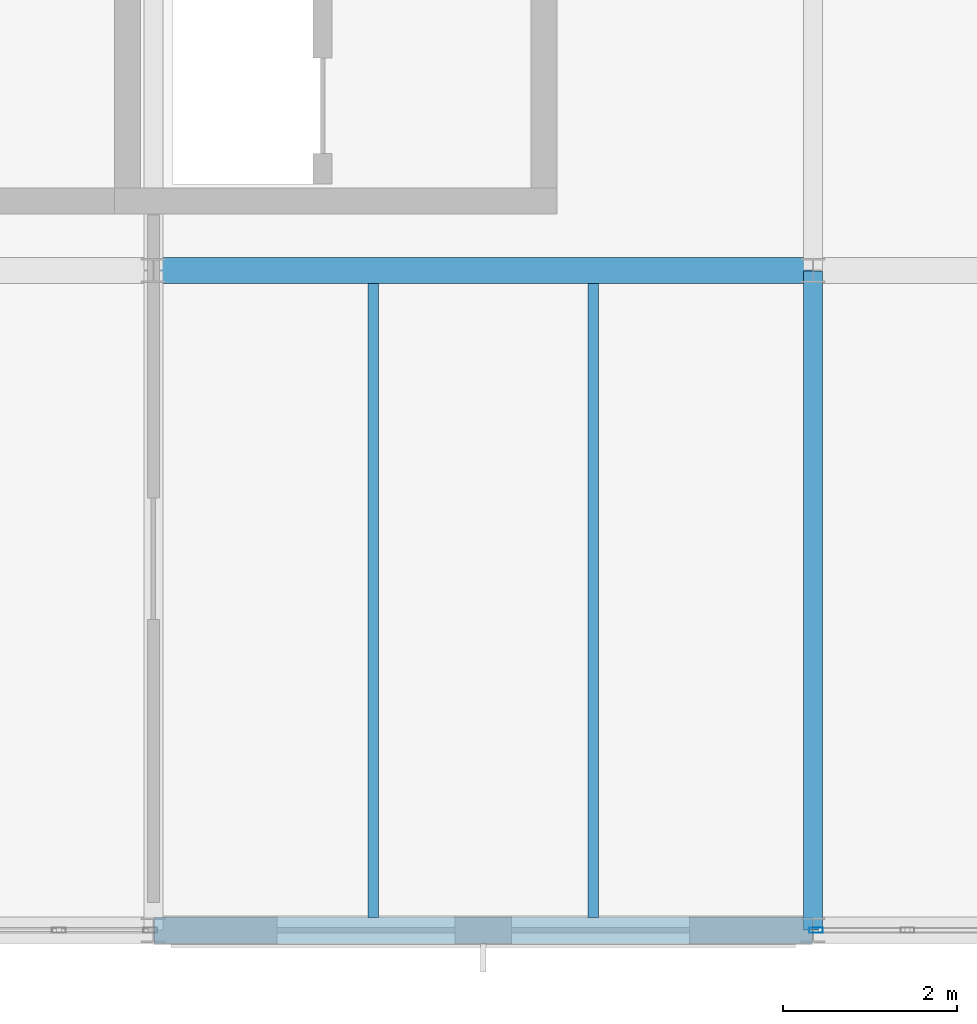
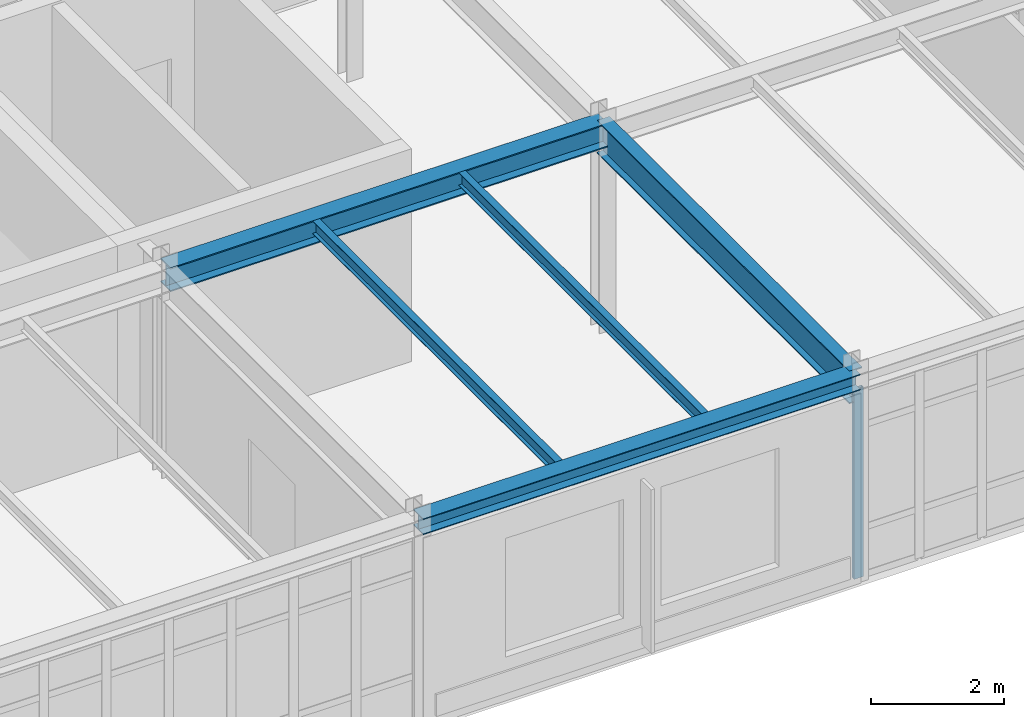
# One storey, part 25 of 165: 5 beams, 1 member, 1 element without a shape of its own.
"""IFC4 building model written with IfcOpenShell, lengths in metres."""

from ifc_helpers import new_model, si_unit, direction, frame, origin, origin_2d, place, context, subcontext, project, spatial, hollow_rectangle, i_section, extrude, material, layer, layer_set, material_profile, profile_set, type_object, element, aggregate, save


model = new_model("IFC4")

# Units and contexts
model_context = context("Model", 3, precision=1e-05, world=origin(), true_north=direction((0.0, 1.0)))
body_context = subcontext(model_context, "Body", "Model", "MODEL_VIEW")
ifc_project = project(units=[si_unit("LENGTHUNIT", "METRE"), si_unit("AREAUNIT", "SQUARE_METRE"), si_unit("VOLUMEUNIT", "CUBIC_METRE"), si_unit("PLANEANGLEUNIT", "RADIAN"), si_unit("MASSUNIT", "GRAM", prefix="KILO")], contexts=[model_context])

# Site, building, storey
site_placement = place(None, origin())
site = spatial("IfcSite", under=ifc_project, at=site_placement, CompositionType="ELEMENT")
building_placement = place(site_placement, origin())
building = spatial("IfcBuilding", under=site, at=building_placement, Name="Montecoro Central Library", CompositionType="ELEMENT")
storey_placement = place(building_placement, frame((0.0, 0.0, 5.10009765625)))
storey = spatial("IfcBuildingStorey", under=building, at=storey_placement, Name="L01", CompositionType="ELEMENT", Elevation=5.10009765625)

# Beams
ifc_material_1 = material(Name="Steel S355J2", Category="steel")
ifc_material_profile_1 = material_profile(ifc_material_1, i_section(OverallWidth=0.300048828125, OverallDepth=0.43994140625, WebThickness=0.011474609375, FlangeThickness=0.02099609375, at=origin_2d()), Name="HEA 450")
ifc_profile_set_1 = profile_set([ifc_material_profile_1], Name="Steel S355J2")
beam_type_1 = type_object("IfcBeamType", Name="BM-G-HEA450", PredefinedType="USERDEFINED", material=ifc_profile_set_1)
beam_1_placement = place(storey_placement, frame((12.60498046875, 12.60009765625, 3.60498046875), z_axis=(1.0, 0.0, 0.0), x_axis=(0.0, 1.0, 0.0)))
element("IfcBeam", 1, at=beam_1_placement, inside=storey, type_object=beam_type_1, Name="V3-L01-BX-23-B", ObjectType="GIRDER", PredefinedType="USERDEFINED", context=body_context, shape_type="SweptSolid", body=[
    extrude(i_section(OverallWidth=0.300048828125, OverallDepth=0.43994140625, WebThickness=0.011474609375, FlangeThickness=0.02099609375, at=origin_2d()), origin(), (0.0, 0.0, 1.0), 7.590087890625),
])
ifc_material_profile_2 = material_profile(ifc_material_1, i_section(OverallWidth=0.219970703125, OverallDepth=0.60009765625, WebThickness=0.011962890625, FlangeThickness=0.01904296875, at=origin_2d()), Name="IPE 600")
ifc_profile_set_2 = profile_set([ifc_material_profile_2], Name="Steel S355J2")
beam_type_2 = type_object("IfcBeamType", Name="BM-G-IPE600", PredefinedType="USERDEFINED", material=ifc_profile_set_2)
beam_2_placement = place(storey_placement, frame((20.199951171875, 5.0048828125, 3.52490234375), z_axis=(0.0, 1.0, 0.0), x_axis=(-1.0, 0.0, 0.0)))
element("IfcBeam", 2, at=beam_2_placement, inside=storey, type_object=beam_type_2, Name="V3-L01-BY-3-AB", ObjectType="GIRDER", PredefinedType="USERDEFINED", context=body_context, shape_type="SweptSolid", body=[
    extrude(i_section(OverallWidth=0.219970703125, OverallDepth=0.60009765625, WebThickness=0.011962890625, FlangeThickness=0.01904296875, at=origin_2d()), origin(), (0.0, 0.0, 1.0), 7.590087890625),
])
ifc_material_2 = material(Name="Steel S355", Category="steel")
ifc_material_profile_3 = material_profile(ifc_material_2, i_section(OverallWidth=0.1201171875, OverallDepth=0.239990234375, WebThickness=0.006103515625, FlangeThickness=0.009765625, at=origin_2d()), Name="IPE 240")
ifc_profile_set_3 = profile_set([ifc_material_profile_3], Name="Steel S355")
beam_type_3 = type_object("IfcBeamType", Name="BM-J-IPE240", PredefinedType="JOIST", material=ifc_profile_set_3)
for number, where, z_axis, x_axis, name in (
    (3, (15.133056640625, 5.14697265625, 3.704833984375), (0.0, 1.0, 0.0), (-1.0, 0.0, 0.0), "V3-L01-JS-23-AB-1"),
    (4, (17.6669921875, 5.14697265625, 3.704833984375), (0.0, 1.0, 0.0), (-1.0, 0.0, 0.0), "V3-L01-JS-23-AB-2"),
):
    element("IfcBeam", number, at=place(storey_placement, frame(where, z_axis=z_axis, x_axis=x_axis)), inside=storey, type_object=beam_type_3, Name=name, PredefinedType="JOIST", context=body_context, shape_type="SweptSolid", body=[
        extrude(i_section(OverallWidth=0.1201171875, OverallDepth=0.239990234375, WebThickness=0.006103515625, FlangeThickness=0.009765625, at=origin_2d()), origin(), (0.0, 0.0, 1.0), 7.305908203125),
    ])
ifc_material_profile_4 = material_profile(ifc_material_2, i_section(OverallWidth=0.300048828125, OverallDepth=0.2900390625, WebThickness=0.008544921875, FlangeThickness=0.013916015625, at=origin_2d()), Name="HEA 300")
ifc_profile_set_4 = profile_set([ifc_material_profile_4], Name="Steel S355")
beam_type_4 = type_object("IfcBeamType", Name="BM-SP-HEA300", PredefinedType="SPANDREL", material=ifc_profile_set_4)
beam_3_placement = place(storey_placement, frame((12.60498046875, 5.0, 3.679931640625), z_axis=(1.0, 0.0, 0.0), x_axis=(0.0, 1.0, 0.0)))
element("IfcBeam", 5, at=beam_3_placement, inside=storey, type_object=beam_type_4, Name="V3-L01-BX-23-A", PredefinedType="SPANDREL", context=body_context, shape_type="SweptSolid", body=[
    extrude(i_section(OverallWidth=0.300048828125, OverallDepth=0.2900390625, WebThickness=0.008544921875, FlangeThickness=0.013916015625, at=origin_2d()), origin(), (0.0, 0.0, 1.0), 7.590087890625),
])

# Curtain wall, member
ifc_material_3 = material(Name="Bronze-anodised aluminium and low-E glazing", Category="aluminium")
ifc_layer = layer(ifc_material_3, 0.159912109375)
ifc_layer_set = layer_set([ifc_layer], Name="Bronze-anodised aluminium and low-E glazing")
curtain_wall_type = type_object("IfcCurtainWallType", Name="CWT-029", PredefinedType="NOTDEFINED", material=ifc_layer_set)
curtain_wall_placement = place(storey_placement, origin())
curtain_wall = element("IfcCurtainWall", 6, at=curtain_wall_placement, inside=storey, type_object=curtain_wall_type, Name="V3-L01-CW-S2", PredefinedType="NOTDEFINED")
ifc_material_4 = material(Name="Bronze-anodised aluminium", Category="aluminium")
ifc_material_profile_5 = material_profile(ifc_material_4, hollow_rectangle(XDim=0.06005859375, YDim=0.159912109375, WallThickness=0.00390625, at=origin_2d()), Name="CWM 160x60x4.0")
ifc_profile_set_5 = profile_set([ifc_material_profile_5], Name="Bronze-anodised aluminium")
member_type = type_object("IfcMemberType", Name="CWM-BRZ-60", PredefinedType="MULLION", material=ifc_profile_set_5)
member_placement = place(storey_placement, frame((20.23388671875, 5.0, 0.0), z_axis=(0.0, 0.0, 1.0), x_axis=(0.0, 1.0, 0.0)))
member = element("IfcMember", 7, at=member_placement, type_object=member_type, Name="CW-029 mullion 1", PredefinedType="MULLION", context=body_context, shape_type="SweptSolid", body=[
    extrude(hollow_rectangle(XDim=0.06005859375, YDim=0.159912109375, WallThickness=0.00390625, at=origin_2d()), origin(), (0.0, 0.0, 1.0), 3.47998046875),
])
aggregate(curtain_wall, [member])

save(model, "model.ifc")
